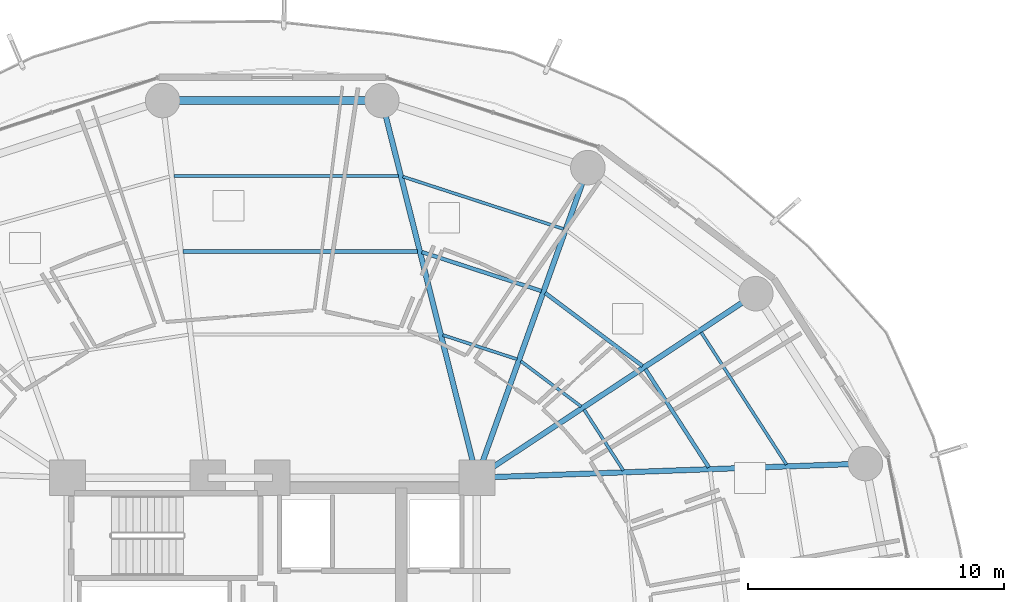
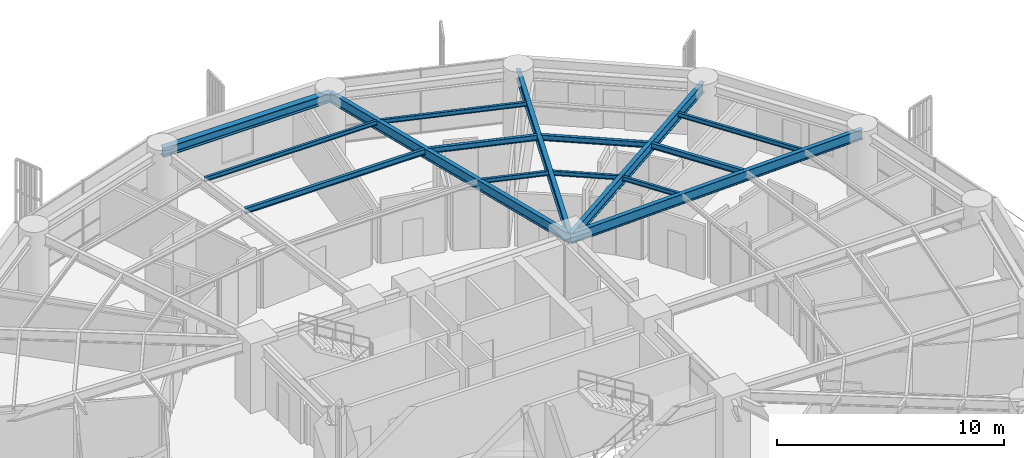
# One storey, part 20 of 33: 15 beams.
"""IFC4 building model written with IfcOpenShell, lengths in metres."""

import ifcopenshell
import ifcopenshell.guid

model = None  # the IFC model being written
_history = None  # IfcOwnerHistory: only IFC2X3 demands one
_inside = {}  # id of a spatial element -> (the spatial element, [elements in it])
_under = {}  # id of a project, library or spatial element -> (it, [spatial elements below it])
_declared = {}  # id of a project -> (the project, [libraries it declares])
_typed = {}  # id of a type object -> (the type object, [elements of that type])
_made_of = {}  # id of a material, layer set ... -> (it, [elements and type objects made of it])


def new_model(schema):
    """Start an empty IFC model of exactly this schema.

    Asked for "IFC4X3", IfcOpenShell would pick the latest addendum, in which some entities
    have other attributes; the version numbers below select the first issue.
    IFC2X3 requires an IfcOwnerHistory on every rooted entity: one is made here for all.
    """
    global model, _history
    if schema == "IFC4X3":
        model = ifcopenshell.file(schema_version=(4, 3, 0, 0))
    else:
        model = ifcopenshell.file(schema=schema)
    _inside.clear()
    _under.clear()
    _declared.clear()
    _typed.clear()
    _made_of.clear()
    _history = None
    if model.schema == "IFC2X3":
        org = make("IfcOrganization", Name="unknown")
        user = make(
            "IfcPersonAndOrganization",
            ThePerson=make("IfcPerson", FamilyName="unknown"),
            TheOrganization=org,
        )
        app = make(
            "IfcApplication",
            ApplicationDeveloper=org,
            Version="unknown",
            ApplicationFullName="unknown",
            ApplicationIdentifier="unknown",
        )
        _history = make(
            "IfcOwnerHistory",
            OwningUser=user,
            OwningApplication=app,
            ChangeAction="ADDED",
            CreationDate=0,
        )
    return model


def make(cls, **values):
    """One entity of the class cls with the attributes given. An attribute that is None is left unset."""
    return model.create_entity(
        cls, **{name: value for name, value in values.items() if value is not None}
    )


def rooted(cls, **values):
    """An entity with a GlobalId (a new one), such as an element, a storey or a relation."""
    return make(cls, GlobalId=ifcopenshell.guid.new(), OwnerHistory=_history, **values)


def si_unit(unit_type, name, prefix=None):
    """IfcSIUnit, for example si_unit("LENGTHUNIT", "METRE", prefix="MILLI")."""
    return make("IfcSIUnit", UnitType=unit_type, Prefix=prefix, Name=name)


def assignment(units):
    """IfcUnitAssignment: the units of a project."""
    return None if units is None else make("IfcUnitAssignment", Units=units)


def point(xyz):
    """IfcCartesianPoint."""
    return None if xyz is None else make("IfcCartesianPoint", Coordinates=xyz)


def direction(xyz):
    """IfcDirection."""
    return None if xyz is None else make("IfcDirection", DirectionRatios=xyz)


def frame(location, z_axis=None, x_axis=None):
    """IfcAxis2Placement3D, a coordinate frame: its origin and axes. An axis left out is left unset."""
    return make(
        "IfcAxis2Placement3D",
        Location=point(location),
        Axis=direction(z_axis),
        RefDirection=direction(x_axis),
    )


def frame_2d(location, x_axis=None):
    """IfcAxis2Placement2D, a coordinate frame in the plane: its origin and x axis."""
    return make(
        "IfcAxis2Placement2D", Location=point(location), RefDirection=direction(x_axis)
    )


def origin():
    """The frame at (0, 0, 0) with its axes left unset."""
    return frame((0.0, 0.0, 0.0))


def origin_2d():
    """The frame at (0, 0) in the plane with its x axis left unset."""
    return frame_2d((0.0, 0.0))


def place(relative_to, where):
    """IfcLocalPlacement: puts the frame where relative to a parent placement (None: the world)."""
    return make(
        "IfcLocalPlacement", PlacementRelTo=relative_to, RelativePlacement=where
    )


def context(
    kind, dimensions, precision=None, world=None, true_north=None, identifier=None
):
    """IfcGeometricRepresentationContext, for example the 3D "Model" context."""
    return make(
        "IfcGeometricRepresentationContext",
        ContextIdentifier=identifier,
        ContextType=kind,
        CoordinateSpaceDimension=dimensions,
        Precision=precision,
        WorldCoordinateSystem=world,
        TrueNorth=true_north,
    )


def subcontext(parent, identifier, kind, view, scale=None):
    """IfcGeometricRepresentationSubContext, for example "Body" below "Model"."""
    return make(
        "IfcGeometricRepresentationSubContext",
        ContextIdentifier=identifier,
        ContextType=kind,
        ParentContext=parent,
        TargetScale=scale,
        TargetView=view,
    )


def project(units=None, contexts=None):
    """IfcProject with its units and contexts."""
    return rooted(
        "IfcProject",
        Name="project",
        RepresentationContexts=contexts,
        UnitsInContext=assignment(units),
    )


def spatial(cls, under=None, at=None, **own):
    """A site, building, storey or space (cls), placed at a placement, below another one or the project."""
    s = rooted(cls, ObjectPlacement=at, **own)
    if under is not None:
        _under.setdefault(under.id(), (under, []))[1].append(s)
    return s


def profile(cls, at=None, kind="AREA", **sizes):
    """A parametric profile (cls). Its sizes go by their IFC names, for example OverallWidth=200.0."""
    return make(cls, ProfileType=kind, Position=at, **sizes)


def i_section(**sizes):
    """IfcIShapeProfileDef."""
    return profile("IfcIShapeProfileDef", **sizes)


def extrude(swept, where, along, depth):
    """IfcExtrudedAreaSolid: the profile swept, set in the frame where, extruded along a direction by depth."""
    return make(
        "IfcExtrudedAreaSolid",
        SweptArea=swept,
        Position=where,
        ExtrudedDirection=direction(along),
        Depth=depth,
    )


def shape(context_of_items, identifier, shape_type, items):
    """IfcShapeRepresentation: the items that make up one representation, for example the "Body"."""
    return make(
        "IfcShapeRepresentation",
        ContextOfItems=context_of_items,
        RepresentationIdentifier=identifier,
        RepresentationType=shape_type,
        Items=items,
    )


def material(Name=None, Category=None):
    """IfcMaterial."""
    return make("IfcMaterial", Name=Name, Category=Category)


def material_profile(
    of_material, cross_section, Name=None, Category=None, Priority=None
):
    """IfcMaterialProfile: a cross section and its material."""
    return make(
        "IfcMaterialProfile",
        Name=Name,
        Material=of_material,
        Profile=cross_section,
        Priority=Priority,
        Category=Category,
    )


def profile_set(profiles, Name=None, composite=None):
    """IfcMaterialProfileSet."""
    return make(
        "IfcMaterialProfileSet",
        Name=Name,
        MaterialProfiles=profiles,
        CompositeProfile=composite,
    )


def made_of(thing, what):
    """Note that an element or type object is made of a material, layer set ...; save() writes the relation."""
    if what is not None:
        _made_of.setdefault(what.id(), (what, []))[1].append(thing)
    return thing


def type_object(cls, material=None, **own):
    """A type object (cls), such as IfcWallType, which elements share."""
    return made_of(rooted(cls, **own), material)


def element(
    cls,
    number,
    at=None,
    inside=None,
    cuts=None,
    type_object=None,
    material=None,
    context=None,
    identifier="Body",
    shape_type=None,
    held_by="IfcProductDefinitionShape",
    body=None,
    shapes=None,
    **own,
):
    """One element of the class cls, such as IfcWall. Its Tag is "e" and its number.

    at: its placement. inside: the storey or other place that contains it. cuts: it is an
    opening in that element (IfcRelVoidsElement). A single representation is given by context,
    identifier, shape_type and body (its items); several are given by shapes. held_by: the class
    of the entity that holds the representations. save() writes the other relations.
    """
    e = rooted(cls, Tag="e%d" % number, ObjectPlacement=at, **own)
    if body is not None:
        shapes = [shape(context, identifier, shape_type, body)]
    if shapes is not None:
        e.Representation = make(held_by, Representations=shapes)
    if inside is not None:
        _inside.setdefault(inside.id(), (inside, []))[1].append(e)
    if cuts is not None:
        rooted(
            "IfcRelVoidsElement", RelatingBuildingElement=cuts, RelatedOpeningElement=e
        )
    if type_object is not None:
        _typed.setdefault(type_object.id(), (type_object, []))[1].append(e)
    return made_of(e, material)


def aggregate(whole, parts):
    """IfcRelAggregates: a whole, such as a stair, and the parts it consists of."""
    return rooted("IfcRelAggregates", RelatingObject=whole, RelatedObjects=parts)


def save(model, path):
    """Write the relations noted so far, then the file.

    IfcRelAggregates (storeys below a building ...), IfcRelContainedInSpatialStructure (elements
    in a storey), IfcRelDefinesByType, IfcRelAssociatesMaterial and IfcRelDeclares: one each for
    every whole, place, type object, material and project.
    """
    for whole, parts in _under.values():
        aggregate(whole, parts)
    for where, things in _inside.values():
        rooted(
            "IfcRelContainedInSpatialStructure",
            RelatedElements=things,
            RelatingStructure=where,
        )
    for kind, things in _typed.values():
        rooted("IfcRelDefinesByType", RelatedObjects=things, RelatingType=kind)
    for what, things in _made_of.values():
        rooted("IfcRelAssociatesMaterial", RelatedObjects=things, RelatingMaterial=what)
    for by, libraries in _declared.values():
        rooted("IfcRelDeclares", RelatingContext=by, RelatedDefinitions=libraries)
    model.write(path)


model = new_model("IFC4")

# Units and contexts
model_context = context("Model", 3, precision=1e-05, world=origin(), true_north=direction((0.0, 1.0)))
body_context = subcontext(model_context, "Body", "Model", "MODEL_VIEW")
ifc_project = project(units=[si_unit("LENGTHUNIT", "METRE"), si_unit("AREAUNIT", "SQUARE_METRE"), si_unit("VOLUMEUNIT", "CUBIC_METRE"), si_unit("PLANEANGLEUNIT", "RADIAN"), si_unit("MASSUNIT", "GRAM", prefix="KILO")], contexts=[model_context])

# Site, building, storey
site_placement = place(None, origin())
site = spatial("IfcSite", under=ifc_project, at=site_placement, CompositionType="ELEMENT")
building_placement = place(site_placement, origin())
building = spatial("IfcBuilding", under=site, at=building_placement, Name="Kelanora Arch Commons", CompositionType="ELEMENT")
storey_placement = place(building_placement, frame((0.0, 0.0, 80.10009765625)))
storey = spatial("IfcBuildingStorey", under=building, at=storey_placement, Name="L20", CompositionType="ELEMENT", Elevation=80.10009765625)

# Beams
ifc_material = material(Name="Steel S355", Category="steel")
ifc_material_profile_1 = material_profile(ifc_material, i_section(OverallWidth=0.14990234375, OverallDepth=0.300048828125, WebThickness=0.007080078125, FlangeThickness=0.0107421875, FilletRadius=0.014892578125, at=origin_2d()), Name="IPE300")
ifc_profile_set_1 = profile_set([ifc_material_profile_1], Name="Steel S355")
beam_type_1 = type_object("IfcBeamType", Name="BM-JST-01", PredefinedType="JOIST", material=ifc_profile_set_1)
beam_1_placement = place(storey_placement, frame((91.06884765625, 65.402587890625, 3.33984375), z_axis=(-0.542230243286, 0.840229946661, 0.0), x_axis=(-0.840229946661, -0.542230243286, 0.0)))
element("IfcBeam", 1, at=beam_1_placement, inside=storey, type_object=beam_type_1, Name="Secondary Chord Joist BJB-02 L20", PredefinedType="JOIST", context=body_context, shape_type="SweptSolid", body=[
    extrude(i_section(OverallWidth=0.14990234375, OverallDepth=0.300048828125, WebThickness=0.007080078125, FlangeThickness=0.0107421875, FilletRadius=0.014892578125, at=origin_2d()), origin(), (0.0, 0.0, 1.0), 4.572265625),
])
beam_2_placement = place(storey_placement, frame((88.4755859375, 69.36669921875, 3.33984375), z_axis=(-0.79971039107, 0.600385951214, 0.0), x_axis=(-0.600385951214, -0.79971039107, 0.0)))
element("IfcBeam", 2, at=beam_2_placement, inside=storey, type_object=beam_type_1, Name="Secondary Chord Joist BJB-04 L20", PredefinedType="JOIST", context=body_context, shape_type="SweptSolid", body=[
    extrude(i_section(OverallWidth=0.14990234375, OverallDepth=0.300048828125, WebThickness=0.007080078125, FlangeThickness=0.0107421875, FilletRadius=0.014892578125, at=origin_2d()), origin(), (0.0, 0.0, 1.0), 4.756103515625),
])
beam_3_placement = place(storey_placement, frame((84.523193359375, 72.29931640625, 3.33984375), z_axis=(-0.950857140254, 0.309629938521, 0.0), x_axis=(-0.309629938521, -0.950857140254, 0.0)))
element("IfcBeam", 3, at=beam_3_placement, inside=storey, type_object=beam_type_1, Name="Secondary Chord Joist BJB-06 L20", PredefinedType="JOIST", context=body_context, shape_type="SweptSolid", body=[
    extrude(i_section(OverallWidth=0.14990234375, OverallDepth=0.300048828125, WebThickness=0.007080078125, FlangeThickness=0.0107421875, FilletRadius=0.014892578125, at=origin_2d()), origin(), (0.0, 0.0, 1.0), 4.912353515625),
])
beam_4_placement = place(storey_placement, frame((79.686279296875, 73.8466796875, 3.33984375), z_axis=(-1.0, 0.0, 0.0), x_axis=(0.0, -1.0, 0.0)))
element("IfcBeam", 4, at=beam_4_placement, inside=storey, type_object=beam_type_1, Name="Secondary Chord Joist BJB-08 L20", PredefinedType="JOIST", context=body_context, shape_type="SweptSolid", body=[
    extrude(i_section(OverallWidth=0.14990234375, OverallDepth=0.300048828125, WebThickness=0.007080078125, FlangeThickness=0.0107421875, FilletRadius=0.014892578125, at=origin_2d()), origin(), (0.0, 0.0, 1.0), 9.1806640625),
])
ifc_material_profile_2 = material_profile(ifc_material, i_section(OverallWidth=0.1201171875, OverallDepth=0.239990234375, WebThickness=0.006103515625, FlangeThickness=0.009765625, FilletRadius=0.014892578125, at=origin_2d()), Name="IPE240")
ifc_profile_set_2 = profile_set([ifc_material_profile_2], Name="Steel S355")
beam_type_2 = type_object("IfcBeamType", Name="BM-JST-02", PredefinedType="JOIST", material=ifc_profile_set_2)
beam_5_placement = place(storey_placement, frame((87.726806640625, 65.281005859375, 3.369873046875), z_axis=(-0.542211255502, 0.840242199849, 0.0), x_axis=(-0.840242199849, -0.542211255502, 0.0)))
element("IfcBeam", 5, at=beam_5_placement, inside=storey, type_object=beam_type_2, Name="Secondary Chord Joist BJA-02 L20", PredefinedType="JOIST", context=body_context, shape_type="SweptSolid", body=[
    extrude(i_section(OverallWidth=0.1201171875, OverallDepth=0.239990234375, WebThickness=0.006103515625, FlangeThickness=0.009765625, FilletRadius=0.014892578125, at=origin_2d()), origin(), (0.0, 0.0, 1.0), 2.83349609375),
])
beam_6_placement = place(storey_placement, frame((94.107177734375, 65.512939453125, 3.369873046875), z_axis=(-0.542212726273, 0.840241250754, 0.0), x_axis=(-0.840241250754, -0.542212726273, 0.0)))
element("IfcBeam", 6, at=beam_6_placement, inside=storey, type_object=beam_type_2, Name="Secondary Chord Joist BJC-02 L20", PredefinedType="JOIST", context=body_context, shape_type="SweptSolid", body=[
    extrude(i_section(OverallWidth=0.1201171875, OverallDepth=0.239990234375, WebThickness=0.006103515625, FlangeThickness=0.009765625, FilletRadius=0.014892578125, at=origin_2d()), origin(), (0.0, 0.0, 1.0), 6.15283203125),
])
beam_7_placement = place(storey_placement, frame((86.076416015625, 67.7841796875, 3.369873046875), z_axis=(-0.799692034361, 0.600410401458, 0.0), x_axis=(-0.600410401458, -0.799692034361, 0.0)))
element("IfcBeam", 7, at=beam_7_placement, inside=storey, type_object=beam_type_2, Name="Secondary Chord Joist BJA-04 L20", PredefinedType="JOIST", context=body_context, shape_type="SweptSolid", body=[
    extrude(i_section(OverallWidth=0.1201171875, OverallDepth=0.239990234375, WebThickness=0.006103515625, FlangeThickness=0.009765625, FilletRadius=0.014892578125, at=origin_2d()), origin(), (0.0, 0.0, 1.0), 2.949951171875),
])
beam_8_placement = place(storey_placement, frame((83.568359375, 69.632568359375, 3.369873046875), z_axis=(-0.950846758946, 0.309661817151, 0.0), x_axis=(-0.309661817151, -0.950846758946, 0.0)))
element("IfcBeam", 8, at=beam_8_placement, inside=storey, type_object=beam_type_2, Name="Secondary Chord Joist BJA-06 L20", PredefinedType="JOIST", context=body_context, shape_type="SweptSolid", body=[
    extrude(i_section(OverallWidth=0.1201171875, OverallDepth=0.239990234375, WebThickness=0.006103515625, FlangeThickness=0.009765625, FilletRadius=0.014892578125, at=origin_2d()), origin(), (0.0, 0.0, 1.0), 3.048828125),
])
beam_9_placement = place(storey_placement, frame((85.39111328125, 74.723876953125, 3.369873046875), z_axis=(-0.950862829272, 0.309612467301, 0.0), x_axis=(-0.309612467301, -0.950862829272, 0.0)))
element("IfcBeam", 9, at=beam_9_placement, inside=storey, type_object=beam_type_2, Name="Secondary Chord Joist BJC-06 L20", PredefinedType="JOIST", context=body_context, shape_type="SweptSolid", body=[
    extrude(i_section(OverallWidth=0.1201171875, OverallDepth=0.239990234375, WebThickness=0.006103515625, FlangeThickness=0.009765625, FilletRadius=0.014892578125, at=origin_2d()), origin(), (0.0, 0.0, 1.0), 6.6064453125),
])
beam_10_placement = place(storey_placement, frame((78.943603515625, 76.795654296875, 3.369873046875), z_axis=(-1.0, 0.0, 0.0), x_axis=(0.0, -1.0, 0.0)))
element("IfcBeam", 10, at=beam_10_placement, inside=storey, type_object=beam_type_2, Name="Secondary Chord Joist BJC-08 L20", PredefinedType="JOIST", context=body_context, shape_type="SweptSolid", body=[
    extrude(i_section(OverallWidth=0.1201171875, OverallDepth=0.239990234375, WebThickness=0.006103515625, FlangeThickness=0.009765625, FilletRadius=0.014892578125, at=origin_2d()), origin(), (0.0, 0.0, 1.0), 8.791015625),
])
ifc_material_profile_3 = material_profile(ifc_material, i_section(OverallWidth=0.2099609375, OverallDepth=0.550048828125, WebThickness=0.010986328125, FlangeThickness=0.01708984375, FilletRadius=0.02392578125, at=origin_2d()), Name="IPE550")
ifc_profile_set_3 = profile_set([ifc_material_profile_3], Name="Steel S355")
beam_type_3 = type_object("IfcBeamType", Name="BM-RAD-Z2", PredefinedType="BEAM", material=ifc_profile_set_3)
beam_11_placement = place(storey_placement, frame((82.0, 65.0, 3.21484375), z_axis=(0.999341087625, 0.036295875581, 0.0), x_axis=(-0.036295875581, 0.999341087625, 0.0)))
element("IfcBeam", 11, at=beam_11_placement, inside=storey, type_object=beam_type_3, Name="Radial Floor Girder BR-02 L20", PredefinedType="BEAM", context=body_context, shape_type="SweptSolid", body=[
    extrude(i_section(OverallWidth=0.2099609375, OverallDepth=0.550048828125, WebThickness=0.010986328125, FlangeThickness=0.01708984375, FilletRadius=0.02392578125, at=origin_2d()), origin(), (0.0, 0.0, 1.0), 15.20166015625),
])
beam_12_placement = place(storey_placement, frame((82.0, 65.0, 3.21484375), z_axis=(0.834788577908, 0.550570640512, 0.0), x_axis=(-0.550570640512, 0.834788577908, 0.0)))
element("IfcBeam", 12, at=beam_12_placement, inside=storey, type_object=beam_type_3, Name="Radial Floor Girder BR-04 L20", PredefinedType="BEAM", context=body_context, shape_type="SweptSolid", body=[
    extrude(i_section(OverallWidth=0.2099609375, OverallDepth=0.550048828125, WebThickness=0.010986328125, FlangeThickness=0.01708984375, FilletRadius=0.02392578125, at=origin_2d()), origin(), (0.0, 0.0, 1.0), 13.064453125),
])
beam_13_placement = place(storey_placement, frame((82.0, 65.0, 3.21484375), z_axis=(0.337084640008, 0.941474346687, 0.0), x_axis=(-0.941474346687, 0.337084640008, 0.0)))
element("IfcBeam", 13, at=beam_13_placement, inside=storey, type_object=beam_type_3, Name="Radial Floor Girder BR-06 L20", PredefinedType="BEAM", context=body_context, shape_type="SweptSolid", body=[
    extrude(i_section(OverallWidth=0.2099609375, OverallDepth=0.550048828125, WebThickness=0.010986328125, FlangeThickness=0.01708984375, FilletRadius=0.02392578125, at=origin_2d()), origin(), (0.0, 0.0, 1.0), 12.875244140625),
])
beam_14_placement = place(storey_placement, frame((82.0, 65.0, 3.21484375), z_axis=(-0.244280647475, 0.969704576286, 0.0), x_axis=(-0.969704576286, -0.244280647475, 0.0)))
element("IfcBeam", 14, at=beam_14_placement, inside=storey, type_object=beam_type_3, Name="Radial Floor Girder BR-08 L20", PredefinedType="BEAM", context=body_context, shape_type="SweptSolid", body=[
    extrude(i_section(OverallWidth=0.2099609375, OverallDepth=0.550048828125, WebThickness=0.010986328125, FlangeThickness=0.01708984375, FilletRadius=0.02392578125, at=origin_2d()), origin(), (0.0, 0.0, 1.0), 15.205322265625),
])
ifc_material_profile_4 = material_profile(ifc_material, i_section(OverallWidth=0.300048828125, OverallDepth=0.5, WebThickness=0.014404296875, FlangeThickness=0.028076171875, FilletRadius=0.027099609375, at=origin_2d()), Name="HEB500")
ifc_profile_set_4 = profile_set([ifc_material_profile_4], Name="Steel S355")
beam_type_4 = type_object("IfcBeamType", Name="BM-SPN-Z2", PredefinedType="SPANDREL", material=ifc_profile_set_4)
beam_15_placement = place(storey_placement, frame((78.28564453125, 79.74462890625, 3.239990234375), z_axis=(-1.0, 0.0, 0.0), x_axis=(0.0, -1.0, 0.0)))
element("IfcBeam", 15, at=beam_15_placement, inside=storey, type_object=beam_type_4, Name="Perimeter Spandrel Beam BS-08 L20", PredefinedType="SPANDREL", context=body_context, shape_type="SweptSolid", body=[
    extrude(i_section(OverallWidth=0.300048828125, OverallDepth=0.5, WebThickness=0.014404296875, FlangeThickness=0.028076171875, FilletRadius=0.027099609375, at=origin_2d()), origin(), (0.0, 0.0, 1.0), 8.5712890625),
])

save(model, "model.ifc")
